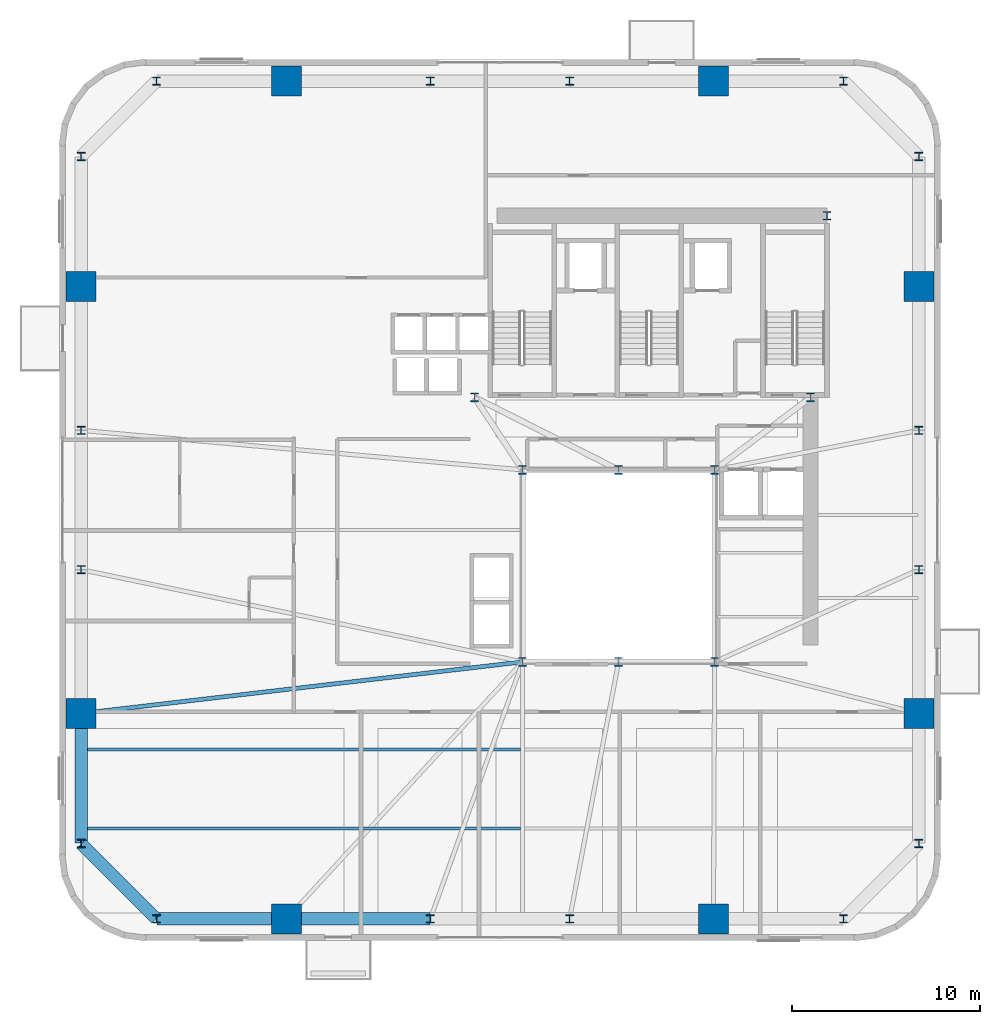
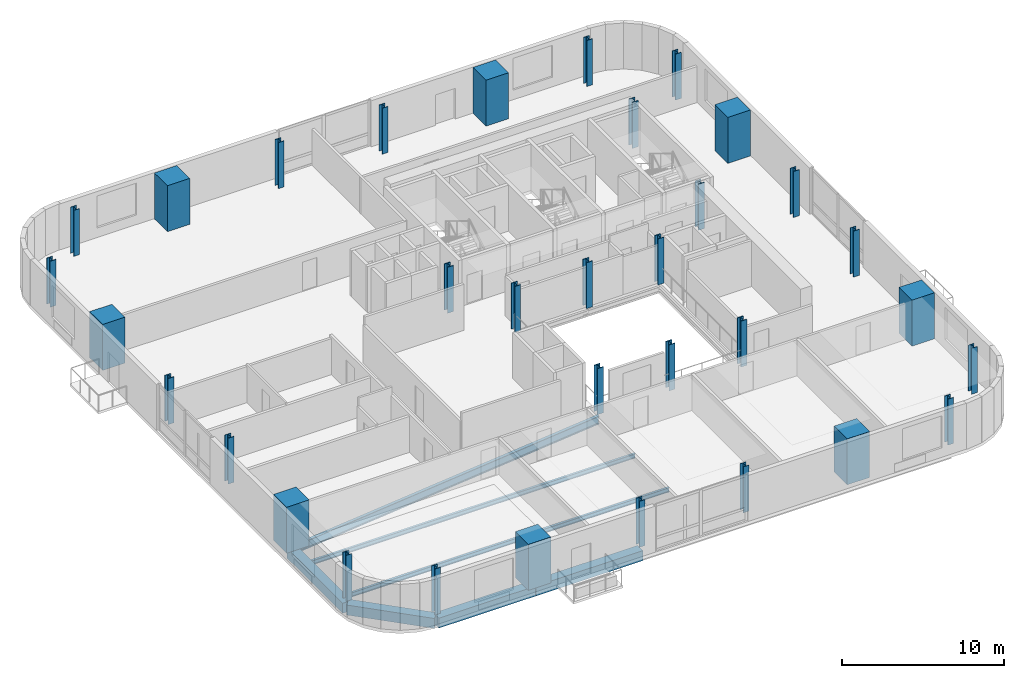
# One storey, part 1 of 12: 33 columns, 7 beams.
"""IFC4 building model written with IfcOpenShell, lengths in metres."""

from ifc_helpers import new_model, si_unit, direction, frame, origin, origin_2d, place, context, subcontext, project, spatial, rectangle, i_section, extrude, source, transform, mapped, material, material_profile, profile_set, type_object, element, save


model = new_model("IFC4")

# Units and contexts
model_context = context("Model", 3, precision=1e-05, world=origin(), true_north=direction((0.0, 1.0)))
body_context = subcontext(model_context, "Body", "Model", "MODEL_VIEW")
ifc_project = project(units=[si_unit("LENGTHUNIT", "METRE"), si_unit("AREAUNIT", "SQUARE_METRE"), si_unit("VOLUMEUNIT", "CUBIC_METRE"), si_unit("PLANEANGLEUNIT", "RADIAN"), si_unit("MASSUNIT", "GRAM", prefix="KILO")], contexts=[model_context])

# Site, building, storey
site_placement = place(None, origin())
site = spatial("IfcSite", under=ifc_project, at=site_placement, CompositionType="ELEMENT")
building_placement = place(site_placement, origin())
building = spatial("IfcBuilding", under=site, at=building_placement, Name="Vardaveli Station Tower", CompositionType="ELEMENT")
storey_placement = place(building_placement, frame((0.0, 0.0, 118.699951171875)))
storey = spatial("IfcBuildingStorey", under=building, at=storey_placement, Name="L30", CompositionType="ELEMENT", Elevation=118.699951171875)

# Columns
ifc_material_1 = material(Name="Structural steel S460M", Category="steel")
ifc_material_profile_1 = material_profile(ifc_material_1, i_section(OverallWidth=0.424072265625, OverallDepth=0.465087890625, WebThickness=0.034912109375, FlangeThickness=0.055908203125, FilletRadius=0.014892578125, at=origin_2d()), Name="HD 400x592")
ifc_profile_set_1 = profile_set([ifc_material_profile_1], Name="Structural steel S460M")
column_type_1 = type_object("IfcColumnType", Name="COL-HD592", PredefinedType="COLUMN", material=ifc_profile_set_1)
shared_shape_1 = source(origin(), body_context, "Body", "SweptSolid", [
    extrude(i_section(OverallWidth=0.424072265625, OverallDepth=0.465087890625, WebThickness=0.034912109375, FlangeThickness=0.055908203125, FilletRadius=0.014892578125, at=origin_2d()), origin(), (0.0, 0.0, 1.0), 3.4599609375),
])
for number, where, z_axis, x_axis, name in (
    (1, (31.199951171875, 16.60009765625, 0.0), (0.0, 0.0, 1.0), (1.0, 0.0, 0.0), "COL-L30-AC1"),
    (2, (36.300048828125, 16.60009765625, 0.0), (0.0, 0.0, 1.0), (1.0, 0.0, 0.0), "COL-L30-AC2"),
    (3, (41.39990234375, 16.60009765625, 0.0), (0.0, 0.0, 1.0), (1.0, 0.0, 0.0), "COL-L30-AC3"),
    (4, (41.39990234375, 26.800048828125, 0.0), (0.0, 0.0, 1.0), (1.0, 0.0, 0.0), "COL-L30-AC4"),
    (5, (36.300048828125, 26.800048828125, 0.0), (0.0, 0.0, 1.0), (1.0, 0.0, 0.0), "COL-L30-AC5"),
    (6, (31.199951171875, 26.800048828125, 0.0), (0.0, 0.0, 1.0), (1.0, 0.0, 0.0), "COL-L30-AC6"),
    (7, (28.64990234375, 30.64990234375, 0.0), (0.0, 0.0, 1.0), (1.0, 0.0, 0.0), "COL-L30-CC1"),
    (8, (46.5, 30.64990234375, 0.0), (0.0, 0.0, 1.0), (1.0, 0.0, 0.0), "COL-L30-CC2"),
    (9, (47.3701171875, 40.300048828125, 0.0), (0.0, 0.0, 1.0), (1.0, 0.0, 0.0), "COL-L30-CC3"),
):
    element("IfcColumn", number, at=place(storey_placement, frame(where, z_axis=z_axis, x_axis=x_axis)), inside=storey, type_object=column_type_1, Name=name, PredefinedType="COLUMN", context=body_context, shape_type="MappedRepresentation", body=[
        mapped(shared_shape_1, transform((0.0, 0.0, 0.0), scale=1.0)),
    ])
ifc_material_2 = material(Name="Concrete C60/75", Category="concrete")
ifc_material_profile_2 = material_profile(ifc_material_2, rectangle(XDim=1.60009765625, YDim=1.60009765625, at=origin_2d()), Name="MC 1600x1600")
ifc_profile_set_2 = profile_set([ifc_material_profile_2], Name="Concrete C60/75")
column_type_2 = type_object("IfcColumnType", Name="COL-MC-1600", PredefinedType="COLUMN", material=ifc_profile_set_2)
shared_shape_2 = source(origin(), body_context, "Body", "SweptSolid", [
    extrude(rectangle(XDim=1.60009765625, YDim=1.60009765625, at=origin_2d()), origin(), (0.0, 0.0, 1.0), 3.4599609375),
])
for number, where, z_axis, x_axis, name in (
    (10, (18.659912109375, 2.949951171875, 0.0), (0.0, 0.0, 1.0), (1.0, 0.0, 0.0), "COL-L30-MC1"),
    (11, (41.340087890625, 2.949951171875, 0.0), (0.0, 0.0, 1.0), (1.0, 0.0, 0.0), "COL-L30-MC2"),
    (12, (52.25, 13.860107421875, 0.0), (0.0, 0.0, 1.0), (1.0, 0.0, 0.0), "COL-L30-MC3"),
    (13, (52.25, 36.5400390625, 0.0), (0.0, 0.0, 1.0), (1.0, 0.0, 0.0), "COL-L30-MC4"),
    (14, (41.340087890625, 47.449951171875, 0.0), (0.0, 0.0, 1.0), (1.0, 0.0, 0.0), "COL-L30-MC5"),
    (15, (18.659912109375, 47.449951171875, 0.0), (0.0, 0.0, 1.0), (1.0, 0.0, 0.0), "COL-L30-MC6"),
    (16, (7.75, 36.5400390625, 0.0), (0.0, 0.0, 1.0), (1.0, 0.0, 0.0), "COL-L30-MC7"),
    (17, (7.75, 13.860107421875, 0.0), (0.0, 0.0, 1.0), (1.0, 0.0, 0.0), "COL-L30-MC8"),
):
    element("IfcColumn", number, at=place(storey_placement, frame(where, z_axis=z_axis, x_axis=x_axis)), inside=storey, type_object=column_type_2, Name=name, PredefinedType="COLUMN", context=body_context, shape_type="MappedRepresentation", body=[
        mapped(shared_shape_2, transform((0.0, 0.0, 0.0), scale=1.0)),
    ])
ifc_material_profile_3 = material_profile(ifc_material_1, i_section(OverallWidth=0.4140625, OverallDepth=0.431884765625, WebThickness=0.025634765625, FlangeThickness=0.0400390625, FilletRadius=0.014892578125, at=origin_2d()), Name="HD 400x421")
ifc_profile_set_3 = profile_set([ifc_material_profile_3], Name="Structural steel S460M")
column_type_3 = type_object("IfcColumnType", Name="COL-HD421", PredefinedType="COLUMN", material=ifc_profile_set_3)
shared_shape_3 = source(origin(), body_context, "Body", "SweptSolid", [
    extrude(i_section(OverallWidth=0.4140625, OverallDepth=0.431884765625, WebThickness=0.025634765625, FlangeThickness=0.0400390625, FilletRadius=0.014892578125, at=origin_2d()), origin(), (0.0, 0.0, 1.0), 3.4599609375),
])
for number, where, z_axis, x_axis, name in (
    (18, (11.75, 2.949951171875, 0.0), (0.0, 0.0, 1.0), (1.0, 0.0, 0.0), "COL-L30-PC01"),
    (19, (26.300048828125, 2.949951171875, 0.0), (0.0, 0.0, 1.0), (1.0, 0.0, 0.0), "COL-L30-PC02"),
    (20, (33.699951171875, 2.949951171875, 0.0), (0.0, 0.0, 1.0), (1.0, 0.0, 0.0), "COL-L30-PC03"),
    (21, (48.25, 2.949951171875, 0.0), (0.0, 0.0, 1.0), (1.0, 0.0, 0.0), "COL-L30-PC04"),
    (22, (52.25, 6.949951171875, 0.0), (0.0, 0.0, 1.0), (1.0, 0.0, 0.0), "COL-L30-PC05"),
    (23, (52.25, 21.5, 0.0), (0.0, 0.0, 1.0), (1.0, 0.0, 0.0), "COL-L30-PC06"),
    (24, (52.25, 28.89990234375, 0.0), (0.0, 0.0, 1.0), (1.0, 0.0, 0.0), "COL-L30-PC07"),
    (25, (52.25, 43.449951171875, 0.0), (0.0, 0.0, 1.0), (1.0, 0.0, 0.0), "COL-L30-PC08"),
    (26, (48.25, 47.449951171875, 0.0), (0.0, 0.0, 1.0), (1.0, 0.0, 0.0), "COL-L30-PC09"),
    (27, (33.699951171875, 47.449951171875, 0.0), (0.0, 0.0, 1.0), (1.0, 0.0, 0.0), "COL-L30-PC10"),
    (28, (26.300048828125, 47.449951171875, 0.0), (0.0, 0.0, 1.0), (1.0, 0.0, 0.0), "COL-L30-PC11"),
    (29, (11.75, 47.449951171875, 0.0), (0.0, 0.0, 1.0), (1.0, 0.0, 0.0), "COL-L30-PC12"),
    (30, (7.75, 43.449951171875, 0.0), (0.0, 0.0, 1.0), (1.0, 0.0, 0.0), "COL-L30-PC13"),
    (31, (7.75, 28.89990234375, 0.0), (0.0, 0.0, 1.0), (1.0, 0.0, 0.0), "COL-L30-PC14"),
    (32, (7.75, 21.5, 0.0), (0.0, 0.0, 1.0), (1.0, 0.0, 0.0), "COL-L30-PC15"),
    (33, (7.75, 6.949951171875, 0.0), (0.0, 0.0, 1.0), (1.0, 0.0, 0.0), "COL-L30-PC16"),
):
    element("IfcColumn", number, at=place(storey_placement, frame(where, z_axis=z_axis, x_axis=x_axis)), inside=storey, type_object=column_type_3, Name=name, PredefinedType="COLUMN", context=body_context, shape_type="MappedRepresentation", body=[
        mapped(shared_shape_3, transform((0.0, 0.0, 0.0), scale=1.0)),
    ])

# Beams
ifc_material_3 = material(Name="Precast concrete C45/55", Category="concrete")
ifc_material_profile_4 = material_profile(ifc_material_3, rectangle(XDim=0.64990234375, YDim=0.75, at=origin_2d()), Name="LPB 650x750")
ifc_profile_set_4 = profile_set([ifc_material_profile_4], Name="Precast concrete C45/55")
beam_type_1 = type_object("IfcBeamType", Name="BM-LPB-750", PredefinedType="BEAM", material=ifc_profile_set_4)
shared_shape_4 = source(origin(), body_context, "Body", "SweptSolid", [
    extrude(rectangle(XDim=0.64990234375, YDim=0.75, at=origin_2d()), origin(), (0.0, 0.0, 1.0), 7.60009765625),
])
beam_1_placement = place(storey_placement, frame((18.679931640625, 2.949951171875, -0.614990234375), z_axis=(1.0, 0.0, 0.0), x_axis=(0.0, 1.0, 0.0)))
element("IfcBeam", 34, at=beam_1_placement, inside=storey, type_object=beam_type_1, Name="RBM-L30-01", PredefinedType="BEAM", context=body_context, shape_type="MappedRepresentation", body=[
    mapped(shared_shape_4, transform((0.0, 0.0, 0.0), scale=1.0)),
])
shared_shape_5 = source(origin(), body_context, "Body", "SweptSolid", [
    extrude(rectangle(XDim=0.64990234375, YDim=0.75, at=origin_2d()), origin(), (0.0, 0.0, 1.0), 6.869873046875),
])
beam_2_placement = place(storey_placement, frame((11.77001953125, 2.949951171875, -0.614990234375), z_axis=(1.0, 0.0, 0.0), x_axis=(0.0, 1.0, 0.0)))
element("IfcBeam", 35, at=beam_2_placement, inside=storey, type_object=beam_type_1, Name="RBM-L30-24", PredefinedType="BEAM", context=body_context, shape_type="MappedRepresentation", body=[
    mapped(shared_shape_5, transform((0.0, 0.0, 0.0), scale=1.0)),
])
shared_shape_6 = source(origin(), body_context, "Body", "SweptSolid", [
    extrude(rectangle(XDim=0.64990234375, YDim=0.75, at=origin_2d()), origin(), (0.0, 0.0, 1.0), 5.61669921875),
])
beam_3_placement = place(storey_placement, frame((7.76416015625, 6.935791015625, -0.614990234375), z_axis=(0.707106781187, -0.707106781187, 0.0), x_axis=(0.707106781187, 0.707106781187, 0.0)))
element("IfcBeam", 36, at=beam_3_placement, inside=storey, type_object=beam_type_1, Name="RBM-L30-23", PredefinedType="BEAM", context=body_context, shape_type="MappedRepresentation", body=[
    mapped(shared_shape_6, transform((0.0, 0.0, 0.0), scale=1.0)),
])
shared_shape_7 = source(origin(), body_context, "Body", "SweptSolid", [
    extrude(rectangle(XDim=0.64990234375, YDim=0.75, at=origin_2d()), origin(), (0.0, 0.0, 1.0), 6.8701171875),
])
beam_4_placement = place(storey_placement, frame((7.75, 13.840087890625, -0.614990234375), z_axis=(0.0, -1.0, 0.0), x_axis=(1.0, 0.0, 0.0)))
element("IfcBeam", 37, at=beam_4_placement, inside=storey, type_object=beam_type_1, Name="RBM-L30-22", PredefinedType="BEAM", context=body_context, shape_type="MappedRepresentation", body=[
    mapped(shared_shape_7, transform((0.0, 0.0, 0.0), scale=1.0)),
])
ifc_material_4 = material(Name="Structural steel S355J2", Category="steel")
ifc_material_profile_5 = material_profile(ifc_material_4, i_section(OverallWidth=0.159912109375, OverallDepth=0.330078125, WebThickness=0.007568359375, FlangeThickness=0.011474609375, FilletRadius=0.01806640625, at=origin_2d()), Name="IPE 330")
ifc_profile_set_5 = profile_set([ifc_material_profile_5], Name="Structural steel S355J2")
beam_type_2 = type_object("IfcBeamType", Name="BM-IPE330", PredefinedType="JOIST", material=ifc_profile_set_5)
shared_shape_8 = source(origin(), body_context, "Body", "SweptSolid", [
    extrude(i_section(OverallWidth=0.159912109375, OverallDepth=0.330078125, WebThickness=0.007568359375, FlangeThickness=0.011474609375, FilletRadius=0.01806640625, at=origin_2d()), origin(), (0.0, 0.0, 1.0), 23.2978515625),
])
for number, where, z_axis, x_axis, name in (
    (38, (7.7900390625, 7.75, -0.405029296875), (1.0, 0.0, 0.0), (0.0, 1.0, 0.0), "SJ-L30-S01"),
    (39, (7.7900390625, 11.949951171875, -0.405029296875), (1.0, 0.0, 0.0), (0.0, 1.0, 0.0), "SJ-L30-S03"),
):
    element("IfcBeam", number, at=place(storey_placement, frame(where, z_axis=z_axis, x_axis=x_axis)), inside=storey, type_object=beam_type_2, Name=name, PredefinedType="JOIST", context=body_context, shape_type="MappedRepresentation", body=[
        mapped(shared_shape_8, transform((0.0, 0.0, 0.0), scale=1.0)),
    ])
ifc_material_profile_6 = material_profile(ifc_material_4, i_section(OverallWidth=0.219970703125, OverallDepth=0.60009765625, WebThickness=0.011962890625, FlangeThickness=0.01904296875, FilletRadius=0.02392578125, at=origin_2d()), Name="IPE 600")
ifc_profile_set_6 = profile_set([ifc_material_profile_6], Name="Structural steel S355J2")
beam_type_3 = type_object("IfcBeamType", Name="BM-IPE600", PredefinedType="BEAM", material=ifc_profile_set_6)
shared_shape_9 = source(origin(), body_context, "Body", "SweptSolid", [
    extrude(i_section(OverallWidth=0.219970703125, OverallDepth=0.60009765625, WebThickness=0.011962890625, FlangeThickness=0.01904296875, FilletRadius=0.02392578125, at=origin_2d()), origin(), (0.0, 0.0, 1.0), 23.569580078125),
])
beam_5_placement = place(storey_placement, frame((7.769775390625, 13.8623046875, -0.5400390625), z_axis=(0.993242915589, 0.11605391261, 0.0), x_axis=(-0.11605391261, 0.993242915589, 0.0)))
element("IfcBeam", 40, at=beam_5_placement, inside=storey, type_object=beam_type_3, Name="GBM-L30-10", PredefinedType="BEAM", context=body_context, shape_type="MappedRepresentation", body=[
    mapped(shared_shape_9, transform((0.0, 0.0, 0.0), scale=1.0)),
])

save(model, "model.ifc")
